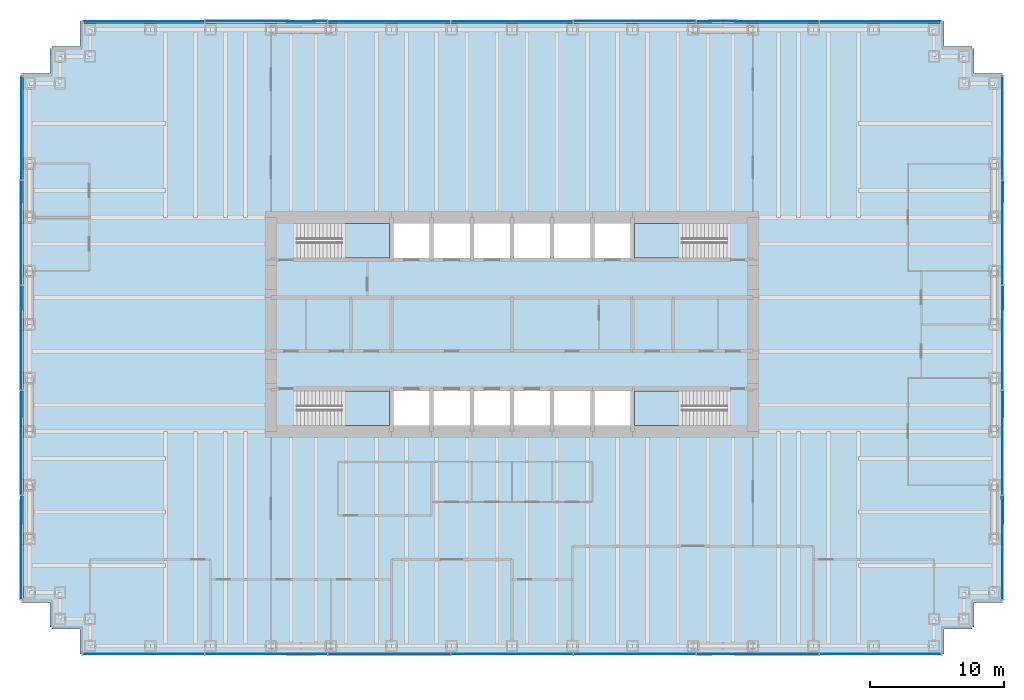
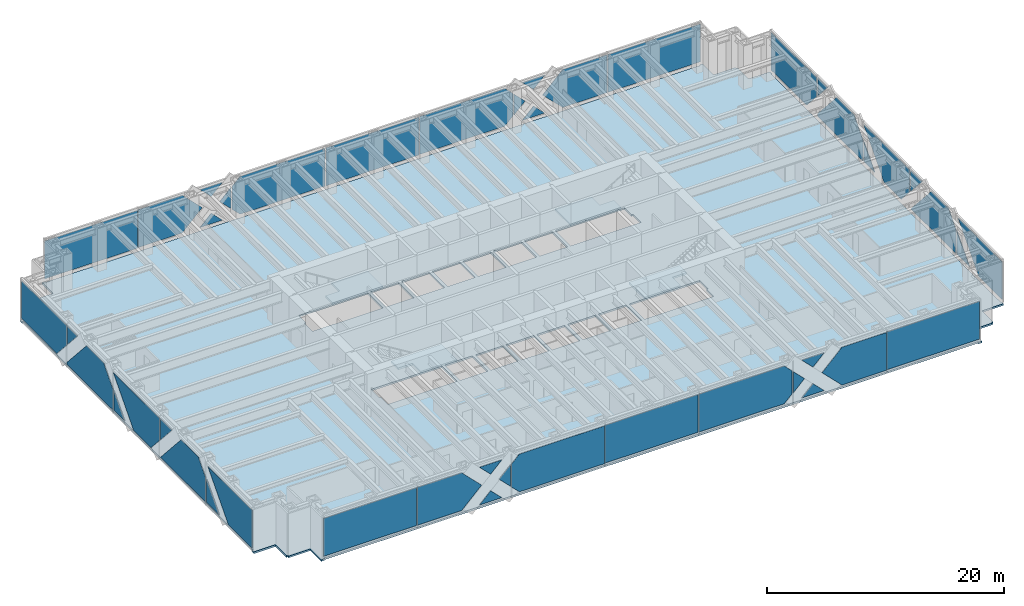
# One storey, part 8 of 13: 44 plates, 5 slabs, 8 elements without a shape of their own.
"""IFC4 building model written with IfcOpenShell, lengths in metres."""

from ifc_helpers import new_model, si_unit, direction, frame, origin, origin_2d, place, context, subcontext, project, spatial, polyline, rectangle, outline, extrude, material, layer, layer_set, type_object, element, aggregate, save


model = new_model("IFC4")

# Units and contexts
model_context = context("Model", 3, precision=1e-05, world=origin(), true_north=direction((0.0, 1.0)))
body_context = subcontext(model_context, "Body", "Model", "MODEL_VIEW")
ifc_project = project(units=[si_unit("LENGTHUNIT", "METRE"), si_unit("AREAUNIT", "SQUARE_METRE"), si_unit("VOLUMEUNIT", "CUBIC_METRE"), si_unit("PLANEANGLEUNIT", "RADIAN"), si_unit("MASSUNIT", "GRAM", prefix="KILO")], contexts=[model_context])

# Site, building, storey
site_placement = place(None, origin())
site = spatial("IfcSite", under=ifc_project, at=site_placement, CompositionType="ELEMENT")
building_placement = place(site_placement, origin())
building = spatial("IfcBuilding", under=site, at=building_placement, Name="Rheinbord Bourse Tower", CompositionType="ELEMENT")
storey_placement = place(building_placement, frame((0.0, 0.0, 45.5)))
storey = spatial("IfcBuildingStorey", under=building, at=storey_placement, Name="L09", CompositionType="ELEMENT", Elevation=45.5)

# Slab
ifc_material_1 = material(Name="Concrete C30/37", Category="concrete")
ifc_layer_1 = layer(ifc_material_1, 0.179931640625)
ifc_layer_set_1 = layer_set([ifc_layer_1], Name="COMPOSITE FLOOR SLAB 180")
slab_type_1 = type_object("IfcSlabType", Name="COMPOSITE FLOOR SLAB 180", PredefinedType="FLOOR", material=ifc_layer_set_1)
slab_1_placement = place(storey_placement, frame((0.0, 0.0, -0.179931640625)))
element("IfcSlab", 1, at=slab_1_placement, inside=storey, type_object=slab_type_1, Name="Floor slab L09", PredefinedType="FLOOR", context=body_context, shape_type="SweptSolid", body=[
    extrude(outline(polyline([(1.64990234375, 1.39990234375), (1.5, 1.39990234375), (1.5, 3.25), (-0.60009765625, 3.25), (-0.60009765625, 3.550048828125), (-0.5, 3.550048828125), (-0.5, 42.449951171875), (-0.60009765625, 42.449951171875), (-0.60009765625, 42.75), (1.5, 42.75), (1.5, 44.60009765625), (1.64990234375, 44.60009765625), (1.64990234375, 44.75), (3.75, 44.75), (3.75, 46.60009765625), (4.050048828125, 46.60009765625), (4.050048828125, 46.5), (67.949951171875, 46.5), (67.949951171875, 46.60009765625), (68.25, 46.60009765625), (68.25, 44.75), (70.35009765625, 44.75), (70.35009765625, 44.60009765625), (70.5, 44.60009765625), (70.5, 42.75), (72.60009765625, 42.75), (72.60009765625, 42.449951171875), (72.5, 42.449951171875), (72.5, 3.550048828125), (72.60009765625, 3.550048828125), (72.60009765625, 3.25), (70.5, 3.25), (70.5, 1.39990234375), (70.35009765625, 1.39990234375), (70.35009765625, 1.25), (68.25, 1.25), (68.25, -0.60009765625), (67.949951171875, -0.60009765625), (67.949951171875, -0.5), (4.050048828125, -0.5), (4.050048828125, -0.60009765625), (3.75, -0.60009765625), (3.75, 1.25), (1.64990234375, 1.25), (1.64990234375, 1.39990234375)]), holes=[polyline([(19.949951171875, 19.050048828125), (26.85009765625, 19.050048828125), (26.85009765625, 16.449951171875), (20.10009765625, 16.449951171875), (20.10009765625, 17.64990234375), (19.949951171875, 17.64990234375), (19.949951171875, 19.050048828125)]), polyline([(26.85009765625, 31.550048828125), (26.85009765625, 28.949951171875), (19.949951171875, 28.949951171875), (19.949951171875, 30.35009765625), (20.10009765625, 30.35009765625), (20.10009765625, 31.550048828125), (26.85009765625, 31.550048828125)]), polyline([(45.14990234375, 16.449951171875), (45.14990234375, 19.050048828125), (52.050048828125, 19.050048828125), (52.050048828125, 17.64990234375), (51.89990234375, 17.64990234375), (51.89990234375, 16.449951171875), (45.14990234375, 16.449951171875)]), polyline([(52.050048828125, 28.949951171875), (45.14990234375, 28.949951171875), (45.14990234375, 31.550048828125), (51.89990234375, 31.550048828125), (51.89990234375, 30.35009765625), (52.050048828125, 30.35009765625), (52.050048828125, 28.949951171875)]), polyline([(27.14990234375, 16.449951171875), (27.14990234375, 19.050048828125), (29.85009765625, 19.050048828125), (29.85009765625, 16.449951171875), (27.14990234375, 16.449951171875)]), polyline([(27.14990234375, 28.949951171875), (27.14990234375, 31.550048828125), (29.85009765625, 31.550048828125), (29.85009765625, 28.949951171875), (27.14990234375, 28.949951171875)]), polyline([(30.14990234375, 16.449951171875), (30.14990234375, 19.050048828125), (32.85009765625, 19.050048828125), (32.85009765625, 16.449951171875), (30.14990234375, 16.449951171875)]), polyline([(30.14990234375, 28.949951171875), (30.14990234375, 31.550048828125), (32.85009765625, 31.550048828125), (32.85009765625, 28.949951171875), (30.14990234375, 28.949951171875)]), polyline([(33.14990234375, 16.449951171875), (33.14990234375, 19.050048828125), (35.85009765625, 19.050048828125), (35.85009765625, 16.449951171875), (33.14990234375, 16.449951171875)]), polyline([(33.14990234375, 28.949951171875), (33.14990234375, 31.550048828125), (35.85009765625, 31.550048828125), (35.85009765625, 28.949951171875), (33.14990234375, 28.949951171875)]), polyline([(36.14990234375, 16.449951171875), (36.14990234375, 19.050048828125), (38.85009765625, 19.050048828125), (38.85009765625, 16.449951171875), (36.14990234375, 16.449951171875)]), polyline([(36.14990234375, 28.949951171875), (36.14990234375, 31.550048828125), (38.85009765625, 31.550048828125), (38.85009765625, 28.949951171875), (36.14990234375, 28.949951171875)]), polyline([(39.14990234375, 16.449951171875), (39.14990234375, 19.050048828125), (41.85009765625, 19.050048828125), (41.85009765625, 16.449951171875), (39.14990234375, 16.449951171875)]), polyline([(39.14990234375, 28.949951171875), (39.14990234375, 31.550048828125), (41.85009765625, 31.550048828125), (41.85009765625, 28.949951171875), (39.14990234375, 28.949951171875)]), polyline([(42.14990234375, 16.449951171875), (42.14990234375, 19.050048828125), (44.85009765625, 19.050048828125), (44.85009765625, 16.449951171875), (42.14990234375, 16.449951171875)]), polyline([(42.14990234375, 28.949951171875), (42.14990234375, 31.550048828125), (44.85009765625, 31.550048828125), (44.85009765625, 28.949951171875), (42.14990234375, 28.949951171875)])]), origin(), (0.0, 0.0, 1.0), 0.179931640625),
])

# Curtain wall, plates
ifc_material_2 = material(Name="Dark glass and black aluminium", Category="aluminium")
curtain_wall_type = type_object("IfcCurtainWallType", Name="CW1 DARK GLASS CURTAIN WALL", PredefinedType="USERDEFINED", material=ifc_material_2)
curtain_wall_1_placement = place(storey_placement, origin())
curtain_wall_1 = element("IfcCurtainWall", 2, at=curtain_wall_1_placement, inside=storey, type_object=curtain_wall_type, Name="Curtain wall CW1 S L09", ObjectType="UNITISED CURTAIN WALL", PredefinedType="USERDEFINED")
ifc_material_3 = material(Name="Dark tinted triple insulating glass", Category="glass")
ifc_layer_2 = layer(ifc_material_3, 0.0439453125)
ifc_layer_set_2 = layer_set([ifc_layer_2], Name="CW1 DARK GLASS PANEL")
plate_type = type_object("IfcPlateType", Name="CW1 DARK GLASS PANEL", PredefinedType="CURTAIN_PANEL", material=ifc_layer_set_2)
plate_1_placement = place(storey_placement, frame((8.505615234375, -0.60009765625, 0.300048828125), z_axis=(0.0, 0.0, 1.0), x_axis=(1.0, 0.0, 0.0)))
plate_1 = element("IfcPlate", 3, at=plate_1_placement, type_object=plate_type, Name="CW1 panel 1.1", PredefinedType="CURTAIN_PANEL", context=body_context, shape_type="SweptSolid", body=[
    extrude(rectangle(XDim=9.051513671875, YDim=0.0439453125, at=origin_2d()), origin(), (0.0, 0.0, 1.0), 3.89990234375),
])
plate_2_placement = place(storey_placement, frame((36.0, -0.60009765625, 0.300048828125), z_axis=(0.0, 0.0, 1.0), x_axis=(1.0, 0.0, 0.0)))
plate_2 = element("IfcPlate", 4, at=plate_2_placement, type_object=plate_type, Name="CW1 panel 4.1", PredefinedType="CURTAIN_PANEL", context=body_context, shape_type="SweptSolid", body=[
    extrude(rectangle(XDim=9.09130859375, YDim=0.0439453125, at=origin_2d()), origin(), (0.0, 0.0, 1.0), 3.89990234375),
])
plate_3_placement = place(storey_placement, frame((63.494384765625, -0.60009765625, 0.300048828125), z_axis=(0.0, 0.0, 1.0), x_axis=(1.0, 0.0, 0.0)))
plate_3 = element("IfcPlate", 5, at=plate_3_placement, type_object=plate_type, Name="CW1 panel 7.1", PredefinedType="CURTAIN_PANEL", context=body_context, shape_type="SweptSolid", body=[
    extrude(rectangle(XDim=9.051513671875, YDim=0.0439453125, at=origin_2d()), origin(), (0.0, 0.0, 1.0), 3.89990234375),
])
plate_4_placement = place(storey_placement, frame((13.111083984375, -0.6220703125, 0.300048828125), z_axis=(0.0, 1.0, 0.0), x_axis=(0.0, 0.0, 1.0)))
plate_4 = element("IfcPlate", 6, at=plate_4_placement, type_object=plate_type, Name="CW1 glass facet 1", PredefinedType="CURTAIN_PANEL", context=body_context, shape_type="SweptSolid", body=[
    extrude(outline(polyline([(0.0, 0.0), (3.89990234375, 0.0), (3.89990234375, 4.3330078125), (1.949951171875, 6.282958984375), (0.0, 4.3330078125), (0.0, 0.0)])), origin(), (0.0, 0.0, 1.0), 0.0439453125),
])
plate_5_placement = place(storey_placement, frame((19.156005859375, -0.6708984375, 0.300048828125), z_axis=(0.0, 1.0, 0.0), x_axis=(0.707106781187, 0.0, 0.707106781187)))
plate_5 = element("IfcPlate", 7, at=plate_5_placement, type_object=plate_type, Name="CW1 glass facet 2", PredefinedType="CURTAIN_PANEL", context=body_context, shape_type="SweptSolid", body=[
    extrude(outline(polyline([(0.0, 0.0), (1.547119140625, 0.0), (1.547119140625, 1.547119140625), (0.0, 0.0)])), origin(), (0.0, 0.0, 1.0), 0.0439453125),
])
plate_6_placement = place(storey_placement, frame((21.343994140625, -0.6708984375, 4.199951171875), z_axis=(0.0, 1.0, 0.0), x_axis=(-0.707106781187, 0.0, -0.707106781187)))
plate_6 = element("IfcPlate", 8, at=plate_6_placement, type_object=plate_type, Name="CW1 glass facet 3", PredefinedType="CURTAIN_PANEL", context=body_context, shape_type="SweptSolid", body=[
    extrude(outline(polyline([(0.0, 0.0), (1.547119140625, 0.0), (1.547119140625, 1.547119140625), (0.0, 0.0)])), origin(), (0.0, 0.0, 1.0), 0.0439453125),
])
plate_7_placement = place(storey_placement, frame((22.202880859375, -0.6220703125, 1.153076171875), z_axis=(0.0, 1.0, 0.0), x_axis=(-0.707106781187, 0.0, 0.707106781187)))
plate_7 = element("IfcPlate", 9, at=plate_7_placement, type_object=plate_type, Name="CW1 glass facet 4", PredefinedType="CURTAIN_PANEL", context=body_context, shape_type="SweptSolid", body=[
    extrude(outline(polyline([(0.0, 0.0), (1.55126953125, 0.0), (1.55126953125, 1.55126953125), (0.0, 0.0)])), origin(), (0.0, 0.0, 1.0), 0.0439453125),
])
plate_8_placement = place(storey_placement, frame((31.3740234375, -0.6708984375, 4.199951171875), z_axis=(0.0, 1.0, 0.0), x_axis=(0.0, 0.0, -1.0)))
plate_8 = element("IfcPlate", 10, at=plate_8_placement, type_object=plate_type, Name="CW1 glass facet 1", PredefinedType="CURTAIN_PANEL", context=body_context, shape_type="SweptSolid", body=[
    extrude(outline(polyline([(0.0, 0.0), (3.89990234375, 0.0), (3.89990234375, 8.318115234375), (3.126953125, 9.091064453125), (0.77294921875, 9.091064453125), (0.0, 8.318115234375), (0.0, 0.0)])), origin(), (0.0, 0.0, 1.0), 0.0439453125),
])
plate_9_placement = place(storey_placement, frame((40.6259765625, -0.6220703125, 0.300048828125), z_axis=(0.0, 1.0, 0.0), x_axis=(0.0, 0.0, 1.0)))
plate_9 = element("IfcPlate", 11, at=plate_9_placement, type_object=plate_type, Name="CW1 glass facet 1", PredefinedType="CURTAIN_PANEL", context=body_context, shape_type="SweptSolid", body=[
    extrude(outline(polyline([(0.0, 0.0), (3.89990234375, 0.0), (3.89990234375, 8.318115234375), (3.126953125, 9.091064453125), (0.77294921875, 9.091064453125), (0.0, 8.318115234375), (0.0, 0.0)])), origin(), (0.0, 0.0, 1.0), 0.0439453125),
])
plate_10_placement = place(storey_placement, frame((49.797119140625, -0.6708984375, 3.346923828125), z_axis=(0.0, 1.0, 0.0), x_axis=(0.707106781187, 0.0, -0.707106781187)))
plate_10 = element("IfcPlate", 12, at=plate_10_placement, type_object=plate_type, Name="CW1 glass facet 1", PredefinedType="CURTAIN_PANEL", context=body_context, shape_type="SweptSolid", body=[
    extrude(outline(polyline([(0.0, 0.0), (1.55126953125, 0.0), (1.55126953125, 1.55126953125), (0.0, 0.0)])), origin(), (0.0, 0.0, 1.0), 0.0439453125),
])
plate_11_placement = place(storey_placement, frame((50.656005859375, -0.6220703125, 0.300048828125), z_axis=(0.0, 1.0, 0.0), x_axis=(0.707106781187, 0.0, 0.707106781187)))
plate_11 = element("IfcPlate", 13, at=plate_11_placement, type_object=plate_type, Name="CW1 glass facet 2", PredefinedType="CURTAIN_PANEL", context=body_context, shape_type="SweptSolid", body=[
    extrude(outline(polyline([(0.0, 0.0), (1.547119140625, 0.0), (1.547119140625, 1.547119140625), (0.0, 0.0)])), origin(), (0.0, 0.0, 1.0), 0.0439453125),
])
plate_12_placement = place(storey_placement, frame((52.843994140625, -0.6220703125, 4.199951171875), z_axis=(0.0, 1.0, 0.0), x_axis=(-0.707106781187, 0.0, -0.707106781187)))
plate_12 = element("IfcPlate", 14, at=plate_12_placement, type_object=plate_type, Name="CW1 glass facet 3", PredefinedType="CURTAIN_PANEL", context=body_context, shape_type="SweptSolid", body=[
    extrude(outline(polyline([(0.0, 0.0), (1.547119140625, 0.0), (1.547119140625, 1.547119140625), (0.0, 0.0)])), origin(), (0.0, 0.0, 1.0), 0.0439453125),
])
plate_13_placement = place(storey_placement, frame((58.888916015625, -0.6708984375, 4.199951171875), z_axis=(0.0, 1.0, 0.0), x_axis=(0.0, 0.0, -1.0)))
plate_13 = element("IfcPlate", 15, at=plate_13_placement, type_object=plate_type, Name="CW1 glass facet 4", PredefinedType="CURTAIN_PANEL", context=body_context, shape_type="SweptSolid", body=[
    extrude(outline(polyline([(0.0, 0.0), (3.89990234375, 0.0), (3.89990234375, 4.3330078125), (1.949951171875, 6.282958984375), (0.0, 4.3330078125), (0.0, 0.0)])), origin(), (0.0, 0.0, 1.0), 0.0439453125),
])
aggregate(curtain_wall_1, [plate_1, plate_2, plate_3, plate_4, plate_5, plate_6, plate_7, plate_8, plate_9, plate_10, plate_11, plate_12, plate_13])

curtain_wall_2_placement = place(storey_placement, origin())
curtain_wall_2 = element("IfcCurtainWall", 16, at=curtain_wall_2_placement, inside=storey, type_object=curtain_wall_type, Name="Curtain wall CW1 E L09", ObjectType="UNITISED CURTAIN WALL", PredefinedType="USERDEFINED")
plate_14_placement = place(storey_placement, frame((72.6220703125, 3.47998046875, 0.300048828125), z_axis=(-1.0, 0.0, 0.0), x_axis=(0.0, 0.0, 1.0)))
plate_14 = element("IfcPlate", 17, at=plate_14_placement, type_object=plate_type, Name="CW1 glass facet 1", PredefinedType="CURTAIN_PANEL", context=body_context, shape_type="SweptSolid", body=[
    extrude(outline(polyline([(0.0, 0.0), (3.89990234375, 0.0), (3.89990234375, 7.444091796875), (0.0, 3.97705078125), (0.0, 0.0)])), origin(), (0.0, 0.0, 1.0), 0.0439453125),
])
plate_15_placement = place(storey_placement, frame((72.6708984375, 11.199951171875, 0.300048828125), z_axis=(-1.0, 0.0, 0.0), x_axis=(0.0, -1.0, 0.0)))
plate_15 = element("IfcPlate", 18, at=plate_15_placement, type_object=plate_type, Name="CW1 glass facet 2", PredefinedType="CURTAIN_PANEL", context=body_context, shape_type="SweptSolid", body=[
    extrude(outline(polyline([(0.0, 0.0), (2.1240234375, 0.0), (0.0, 2.388916015625), (0.0, 0.0)])), origin(), (0.0, 0.0, 1.0), 0.0439453125),
])
plate_16_placement = place(storey_placement, frame((72.6220703125, 11.280029296875, 0.300048828125), z_axis=(-1.0, 0.0, 0.0), x_axis=(0.0, 0.0, 1.0)))
plate_16 = element("IfcPlate", 19, at=plate_16_placement, type_object=plate_type, Name="CW1 glass facet 1", PredefinedType="CURTAIN_PANEL", context=body_context, shape_type="SweptSolid", body=[
    extrude(outline(polyline([(0.0, 0.0), (2.47900390625, 0.0), (3.89990234375, 1.262939453125), (3.89990234375, 4.177001953125), (0.0, 7.64404296875), (0.0, 0.0)])), origin(), (0.0, 0.0, 1.0), 0.0439453125),
])
plate_17_placement = place(storey_placement, frame((72.6708984375, 19.0400390625, 4.199951171875), z_axis=(-1.0, 0.0, 0.0), x_axis=(0.0, 0.0, -1.0)))
plate_17 = element("IfcPlate", 20, at=plate_17_placement, type_object=plate_type, Name="CW1 glass facet 2", PredefinedType="CURTAIN_PANEL", context=body_context, shape_type="SweptSolid", body=[
    extrude(outline(polyline([(0.0, 0.0), (2.208984375, 0.0), (0.0, 1.964111328125), (0.0, 0.0)])), origin(), (0.0, 0.0, 1.0), 0.0439453125),
])
plate_18_placement = place(storey_placement, frame((72.6220703125, 20.54296875, 0.300048828125), z_axis=(-1.0, 0.0, 0.0), x_axis=(0.0, -0.664335537311, 0.74743447463)))
plate_18 = element("IfcPlate", 21, at=plate_18_placement, type_object=plate_type, Name="CW1 glass facet 1", PredefinedType="CURTAIN_PANEL", context=body_context, shape_type="SweptSolid", body=[
    extrude(outline(polyline([(0.0, 0.0), (2.141845703125, 0.0), (3.860107421875, 1.52734375), (-1.294921875, 7.327392578125), (-1.33154296875, 7.294677734375), (-1.93603515625, 2.177978515625), (0.0, 0.0)])), origin(), (0.0, 0.0, 1.0), 0.0439453125),
])
plate_19_placement = place(storey_placement, frame((72.6708984375, 26.8798828125, 0.300048828125), z_axis=(-1.0, 0.0, 0.0), x_axis=(0.0, -1.0, 0.0)))
plate_19 = element("IfcPlate", 22, at=plate_19_placement, type_object=plate_type, Name="CW1 glass facet 2", PredefinedType="CURTAIN_PANEL", context=body_context, shape_type="SweptSolid", body=[
    extrude(outline(polyline([(0.0, 0.0), (1.803955078125, 0.0), (0.0, 2.029052734375), (0.0, 0.0)])), origin(), (0.0, 0.0, 1.0), 0.0439453125),
])
plate_20_placement = place(storey_placement, frame((72.6220703125, 34.719970703125, 0.300048828125), z_axis=(-1.0, 0.0, 0.0), x_axis=(0.0, -1.0, 0.0)))
plate_20 = element("IfcPlate", 23, at=plate_20_placement, type_object=plate_type, Name="CW1 glass facet 1", PredefinedType="CURTAIN_PANEL", context=body_context, shape_type="SweptSolid", body=[
    extrude(outline(polyline([(0.0, 0.0), (7.760009765625, 0.0), (7.760009765625, 2.118896484375), (6.177001953125, 3.89990234375), (3.262939453125, 3.89990234375), (0.0, 0.22900390625), (0.0, 0.0)])), origin(), (0.0, 0.0, 1.0), 0.0439453125),
])
plate_21_placement = place(storey_placement, frame((72.6708984375, 34.719970703125, 4.199951171875), z_axis=(-1.0, 0.0, 0.0), x_axis=(0.0, 0.0, -1.0)))
plate_21 = element("IfcPlate", 24, at=plate_21_placement, type_object=plate_type, Name="CW1 glass facet 2", PredefinedType="CURTAIN_PANEL", context=body_context, shape_type="SweptSolid", body=[
    extrude(outline(polyline([(0.0, 0.0), (1.848876953125, 0.0), (0.0, 1.64404296875), (0.0, 0.0)])), origin(), (0.0, 0.0, 1.0), 0.0439453125),
])
plate_22_placement = place(storey_placement, frame((72.6220703125, 34.800048828125, 4.199951171875), z_axis=(-1.0, 0.0, 0.0), x_axis=(0.0, 1.0, 0.0)))
plate_22 = element("IfcPlate", 25, at=plate_22_placement, type_object=plate_type, Name="CW1 glass facet 1", PredefinedType="CURTAIN_PANEL", context=body_context, shape_type="SweptSolid", body=[
    extrude(outline(polyline([(0.0, 0.0), (7.719970703125, 0.0), (7.719970703125, 3.89990234375), (1.742919921875, 3.89990234375), (0.0, 1.93896484375), (0.0, 0.0)])), origin(), (0.0, 0.0, 1.0), 0.0439453125),
])
aggregate(curtain_wall_2, [plate_14, plate_15, plate_16, plate_17, plate_18, plate_19, plate_20, plate_21, plate_22])

curtain_wall_3_placement = place(storey_placement, origin())
curtain_wall_3 = element("IfcCurtainWall", 26, at=curtain_wall_3_placement, inside=storey, type_object=curtain_wall_type, Name="Curtain wall CW1 N L09", ObjectType="UNITISED CURTAIN WALL", PredefinedType="USERDEFINED")
plate_23_placement = place(storey_placement, frame((63.494384765625, 46.60009765625, 0.300048828125), z_axis=(0.0, 0.0, 1.0), x_axis=(-1.0, 0.0, 0.0)))
plate_23 = element("IfcPlate", 27, at=plate_23_placement, type_object=plate_type, Name="CW1 panel 1.1", PredefinedType="CURTAIN_PANEL", context=body_context, shape_type="SweptSolid", body=[
    extrude(rectangle(XDim=9.051513671875, YDim=0.0439453125, at=origin_2d()), origin(), (0.0, 0.0, 1.0), 3.89990234375),
])
plate_24_placement = place(storey_placement, frame((36.0, 46.60009765625, 0.300048828125), z_axis=(0.0, 0.0, 1.0), x_axis=(-1.0, 0.0, 0.0)))
plate_24 = element("IfcPlate", 28, at=plate_24_placement, type_object=plate_type, Name="CW1 panel 4.1", PredefinedType="CURTAIN_PANEL", context=body_context, shape_type="SweptSolid", body=[
    extrude(rectangle(XDim=9.09130859375, YDim=0.0439453125, at=origin_2d()), origin(), (0.0, 0.0, 1.0), 3.89990234375),
])
plate_25_placement = place(storey_placement, frame((8.505615234375, 46.60009765625, 0.300048828125), z_axis=(0.0, 0.0, 1.0), x_axis=(-1.0, 0.0, 0.0)))
plate_25 = element("IfcPlate", 29, at=plate_25_placement, type_object=plate_type, Name="CW1 panel 7.1", PredefinedType="CURTAIN_PANEL", context=body_context, shape_type="SweptSolid", body=[
    extrude(rectangle(XDim=9.051513671875, YDim=0.0439453125, at=origin_2d()), origin(), (0.0, 0.0, 1.0), 3.89990234375),
])
plate_26_placement = place(storey_placement, frame((58.888916015625, 46.6220703125, 0.300048828125), z_axis=(0.0, -1.0, 0.0), x_axis=(0.0, 0.0, 1.0)))
plate_26 = element("IfcPlate", 30, at=plate_26_placement, type_object=plate_type, Name="CW1 glass facet 1", PredefinedType="CURTAIN_PANEL", context=body_context, shape_type="SweptSolid", body=[
    extrude(outline(polyline([(0.0, 0.0), (3.89990234375, 0.0), (3.89990234375, 4.3330078125), (1.949951171875, 6.282958984375), (0.0, 4.3330078125), (0.0, 0.0)])), origin(), (0.0, 0.0, 1.0), 0.0439453125),
])
plate_27_placement = place(storey_placement, frame((52.843994140625, 46.6708984375, 0.300048828125), z_axis=(0.0, -1.0, 0.0), x_axis=(-0.707106781187, 0.0, 0.707106781187)))
plate_27 = element("IfcPlate", 31, at=plate_27_placement, type_object=plate_type, Name="CW1 glass facet 2", PredefinedType="CURTAIN_PANEL", context=body_context, shape_type="SweptSolid", body=[
    extrude(outline(polyline([(0.0, 0.0), (1.547119140625, 0.0), (1.547119140625, 1.547119140625), (0.0, 0.0)])), origin(), (0.0, 0.0, 1.0), 0.0439453125),
])
plate_28_placement = place(storey_placement, frame((50.656005859375, 46.6708984375, 4.199951171875), z_axis=(0.0, -1.0, 0.0), x_axis=(0.707106781187, 0.0, -0.707106781187)))
plate_28 = element("IfcPlate", 32, at=plate_28_placement, type_object=plate_type, Name="CW1 glass facet 3", PredefinedType="CURTAIN_PANEL", context=body_context, shape_type="SweptSolid", body=[
    extrude(outline(polyline([(0.0, 0.0), (1.547119140625, 0.0), (1.547119140625, 1.547119140625), (0.0, 0.0)])), origin(), (0.0, 0.0, 1.0), 0.0439453125),
])
plate_29_placement = place(storey_placement, frame((49.797119140625, 46.6220703125, 1.153076171875), z_axis=(0.0, -1.0, 0.0), x_axis=(0.707106781187, 0.0, 0.707106781187)))
plate_29 = element("IfcPlate", 33, at=plate_29_placement, type_object=plate_type, Name="CW1 glass facet 4", PredefinedType="CURTAIN_PANEL", context=body_context, shape_type="SweptSolid", body=[
    extrude(outline(polyline([(0.0, 0.0), (1.55126953125, 0.0), (1.55126953125, 1.55126953125), (0.0, 0.0)])), origin(), (0.0, 0.0, 1.0), 0.0439453125),
])
plate_30_placement = place(storey_placement, frame((40.6259765625, 46.6708984375, 4.199951171875), z_axis=(0.0, -1.0, 0.0), x_axis=(0.0, 0.0, -1.0)))
plate_30 = element("IfcPlate", 34, at=plate_30_placement, type_object=plate_type, Name="CW1 glass facet 1", PredefinedType="CURTAIN_PANEL", context=body_context, shape_type="SweptSolid", body=[
    extrude(outline(polyline([(0.0, 0.0), (3.89990234375, 0.0), (3.89990234375, 8.318115234375), (3.126953125, 9.091064453125), (0.77294921875, 9.091064453125), (0.0, 8.318115234375), (0.0, 0.0)])), origin(), (0.0, 0.0, 1.0), 0.0439453125),
])
plate_31_placement = place(storey_placement, frame((31.3740234375, 46.6220703125, 0.300048828125), z_axis=(0.0, -1.0, 0.0), x_axis=(0.0, 0.0, 1.0)))
plate_31 = element("IfcPlate", 35, at=plate_31_placement, type_object=plate_type, Name="CW1 glass facet 1", PredefinedType="CURTAIN_PANEL", context=body_context, shape_type="SweptSolid", body=[
    extrude(outline(polyline([(0.0, 0.0), (3.89990234375, 0.0), (3.89990234375, 8.318115234375), (3.126953125, 9.091064453125), (0.77294921875, 9.091064453125), (0.0, 8.318115234375), (0.0, 0.0)])), origin(), (0.0, 0.0, 1.0), 0.0439453125),
])
plate_32_placement = place(storey_placement, frame((22.202880859375, 46.6708984375, 3.346923828125), z_axis=(0.0, -1.0, 0.0), x_axis=(-0.707106781187, 0.0, -0.707106781187)))
plate_32 = element("IfcPlate", 36, at=plate_32_placement, type_object=plate_type, Name="CW1 glass facet 1", PredefinedType="CURTAIN_PANEL", context=body_context, shape_type="SweptSolid", body=[
    extrude(outline(polyline([(0.0, 0.0), (1.55126953125, 0.0), (1.55126953125, 1.55126953125), (0.0, 0.0)])), origin(), (0.0, 0.0, 1.0), 0.0439453125),
])
plate_33_placement = place(storey_placement, frame((21.343994140625, 46.6220703125, 0.300048828125), z_axis=(0.0, -1.0, 0.0), x_axis=(-0.707106781187, 0.0, 0.707106781187)))
plate_33 = element("IfcPlate", 37, at=plate_33_placement, type_object=plate_type, Name="CW1 glass facet 2", PredefinedType="CURTAIN_PANEL", context=body_context, shape_type="SweptSolid", body=[
    extrude(outline(polyline([(0.0, 0.0), (1.547119140625, 0.0), (1.547119140625, 1.547119140625), (0.0, 0.0)])), origin(), (0.0, 0.0, 1.0), 0.0439453125),
])
plate_34_placement = place(storey_placement, frame((19.156005859375, 46.6220703125, 4.199951171875), z_axis=(0.0, -1.0, 0.0), x_axis=(0.707106781187, 0.0, -0.707106781187)))
plate_34 = element("IfcPlate", 38, at=plate_34_placement, type_object=plate_type, Name="CW1 glass facet 3", PredefinedType="CURTAIN_PANEL", context=body_context, shape_type="SweptSolid", body=[
    extrude(outline(polyline([(0.0, 0.0), (1.547119140625, 0.0), (1.547119140625, 1.547119140625), (0.0, 0.0)])), origin(), (0.0, 0.0, 1.0), 0.0439453125),
])
plate_35_placement = place(storey_placement, frame((13.111083984375, 46.6708984375, 4.199951171875), z_axis=(0.0, -1.0, 0.0), x_axis=(0.0, 0.0, -1.0)))
plate_35 = element("IfcPlate", 39, at=plate_35_placement, type_object=plate_type, Name="CW1 glass facet 4", PredefinedType="CURTAIN_PANEL", context=body_context, shape_type="SweptSolid", body=[
    extrude(outline(polyline([(0.0, 0.0), (3.89990234375, 0.0), (3.89990234375, 4.3330078125), (1.949951171875, 6.282958984375), (0.0, 4.3330078125), (0.0, 0.0)])), origin(), (0.0, 0.0, 1.0), 0.0439453125),
])
aggregate(curtain_wall_3, [plate_23, plate_24, plate_25, plate_26, plate_27, plate_28, plate_29, plate_30, plate_31, plate_32, plate_33, plate_34, plate_35])

curtain_wall_4_placement = place(storey_placement, origin())
curtain_wall_4 = element("IfcCurtainWall", 40, at=curtain_wall_4_placement, inside=storey, type_object=curtain_wall_type, Name="Curtain wall CW1 W L09", ObjectType="UNITISED CURTAIN WALL", PredefinedType="USERDEFINED")
plate_36_placement = place(storey_placement, frame((-0.6220703125, 42.52001953125, 0.300048828125), z_axis=(1.0, 0.0, 0.0), x_axis=(0.0, 0.0, 1.0)))
plate_36 = element("IfcPlate", 41, at=plate_36_placement, type_object=plate_type, Name="CW1 glass facet 1", PredefinedType="CURTAIN_PANEL", context=body_context, shape_type="SweptSolid", body=[
    extrude(outline(polyline([(0.0, 0.0), (3.89990234375, 0.0), (3.89990234375, 7.719970703125), (1.9609375, 7.719970703125), (0.0, 5.97705078125), (0.0, 0.0)])), origin(), (0.0, 0.0, 1.0), 0.0439453125),
])
plate_37_placement = place(storey_placement, frame((-0.6220703125, 34.719970703125, 4.199951171875), z_axis=(1.0, 0.0, 0.0), x_axis=(0.0, -1.0, 0.0)))
plate_37 = element("IfcPlate", 42, at=plate_37_placement, type_object=plate_type, Name="CW1 glass facet 1", PredefinedType="CURTAIN_PANEL", context=body_context, shape_type="SweptSolid", body=[
    extrude(outline(polyline([(0.0, 0.0), (1.64404296875, 0.0), (0.0, 1.848876953125), (0.0, 0.0)])), origin(), (0.0, 0.0, 1.0), 0.0439453125),
])
plate_38_placement = place(storey_placement, frame((-0.6708984375, 26.9599609375, 0.300048828125), z_axis=(1.0, 0.0, 0.0), x_axis=(0.0, 1.0, 0.0)))
plate_38 = element("IfcPlate", 43, at=plate_38_placement, type_object=plate_type, Name="CW1 glass facet 2", PredefinedType="CURTAIN_PANEL", context=body_context, shape_type="SweptSolid", body=[
    extrude(outline(polyline([(0.0, 0.0), (7.760009765625, 0.0), (7.760009765625, 0.22900390625), (4.4970703125, 3.89990234375), (1.5830078125, 3.89990234375), (0.0, 2.118896484375), (0.0, 0.0)])), origin(), (0.0, 0.0, 1.0), 0.0439453125),
])
plate_39_placement = place(storey_placement, frame((-0.6220703125, 26.8798828125, 0.300048828125), z_axis=(1.0, 0.0, 0.0), x_axis=(0.0, 0.0, 1.0)))
plate_39 = element("IfcPlate", 44, at=plate_39_placement, type_object=plate_type, Name="CW1 glass facet 1", PredefinedType="CURTAIN_PANEL", context=body_context, shape_type="SweptSolid", body=[
    extrude(outline(polyline([(0.0, 0.0), (2.029052734375, 0.0), (0.0, 1.803955078125), (0.0, 0.0)])), origin(), (0.0, 0.0, 1.0), 0.0439453125),
])
plate_40_placement = place(storey_placement, frame((-0.6708984375, 23.45703125, 0.300048828125), z_axis=(1.0, 0.0, 0.0), x_axis=(0.0, 0.664352073941, 0.747419776197)))
plate_40 = element("IfcPlate", 45, at=plate_40_placement, type_object=plate_type, Name="CW1 glass facet 2", PredefinedType="CURTAIN_PANEL", context=body_context, shape_type="SweptSolid", body=[
    extrude(outline(polyline([(0.0, 0.0), (5.152099609375, 0.0), (5.188720703125, 0.03271484375), (0.03369140625, 5.83251953125), (-1.684814453125, 4.304931640625), (-1.93603515625, 2.177978515625), (0.0, 0.0)])), origin(), (0.0, 0.0, 1.0), 0.0439453125),
])
plate_41_placement = place(storey_placement, frame((-0.6220703125, 19.0400390625, 4.199951171875), z_axis=(1.0, 0.0, 0.0), x_axis=(0.0, -1.0, 0.0)))
plate_41 = element("IfcPlate", 46, at=plate_41_placement, type_object=plate_type, Name="CW1 glass facet 1", PredefinedType="CURTAIN_PANEL", context=body_context, shape_type="SweptSolid", body=[
    extrude(outline(polyline([(0.0, 0.0), (1.964111328125, 0.0), (0.0, 2.208984375), (0.0, 0.0)])), origin(), (0.0, 0.0, 1.0), 0.0439453125),
])
plate_42_placement = place(storey_placement, frame((-0.6708984375, 11.280029296875, 0.300048828125), z_axis=(1.0, 0.0, 0.0), x_axis=(0.0, 1.0, 0.0)))
plate_42 = element("IfcPlate", 47, at=plate_42_placement, type_object=plate_type, Name="CW1 glass facet 2", PredefinedType="CURTAIN_PANEL", context=body_context, shape_type="SweptSolid", body=[
    extrude(outline(polyline([(0.0, 0.0), (7.64404296875, 0.0), (4.177001953125, 3.89990234375), (1.262939453125, 3.89990234375), (0.0, 2.47900390625), (0.0, 0.0)])), origin(), (0.0, 0.0, 1.0), 0.0439453125),
])
plate_43_placement = place(storey_placement, frame((-0.6220703125, 11.199951171875, 0.300048828125), z_axis=(1.0, 0.0, 0.0), x_axis=(0.0, 0.0, 1.0)))
plate_43 = element("IfcPlate", 48, at=plate_43_placement, type_object=plate_type, Name="CW1 glass facet 1", PredefinedType="CURTAIN_PANEL", context=body_context, shape_type="SweptSolid", body=[
    extrude(outline(polyline([(0.0, 0.0), (2.388916015625, 0.0), (0.0, 2.1240234375), (0.0, 0.0)])), origin(), (0.0, 0.0, 1.0), 0.0439453125),
])
plate_44_placement = place(storey_placement, frame((-0.6708984375, 3.47998046875, 4.199951171875), z_axis=(1.0, 0.0, 0.0), x_axis=(0.0, 0.0, -1.0)))
plate_44 = element("IfcPlate", 49, at=plate_44_placement, type_object=plate_type, Name="CW1 glass facet 2", PredefinedType="CURTAIN_PANEL", context=body_context, shape_type="SweptSolid", body=[
    extrude(outline(polyline([(0.0, 0.0), (3.89990234375, 0.0), (3.89990234375, 3.97705078125), (0.0, 7.444091796875), (0.0, 0.0)])), origin(), (0.0, 0.0, 1.0), 0.0439453125),
])
aggregate(curtain_wall_4, [plate_36, plate_37, plate_38, plate_39, plate_40, plate_41, plate_42, plate_43, plate_44])

# Stair, slab
ifc_material_4 = material(Name="Concrete C30/37", Category="concrete")
stair_type = type_object("IfcStairType", Name="CORE STAIR HALF TURN 4500", PredefinedType="HALF_TURN_STAIR", material=ifc_material_4)
stair_1_placement = place(storey_placement, origin())
stair_1 = element("IfcStair", 50, at=stair_1_placement, inside=storey, type_object=stair_type, Name="Stair ST1 L09, type CS4", PredefinedType="HALF_TURN_STAIR")
ifc_material_5 = material(Name="Concrete C30/37", Category="concrete")
ifc_layer_3 = layer(ifc_material_5, 0.199951171875)
ifc_layer_set_3 = layer_set([ifc_layer_3], Name="STAIR LANDING 200")
slab_type_2 = type_object("IfcSlabType", Name="STAIR LANDING 200", PredefinedType="LANDING", material=ifc_layer_set_3)
slab_2_placement = place(storey_placement, frame((0.0, 0.0, 2.050048828125)))
slab_2 = element("IfcSlab", 51, at=slab_2_placement, type_object=slab_type_2, Name="Half landing ST1 L09", PredefinedType="LANDING", context=body_context, shape_type="SweptSolid", body=[
    extrude(outline(polyline([(23.31005859375, 16.449951171875), (26.85009765625, 16.449951171875), (26.85009765625, 19.050048828125), (21.916015625, 19.050048828125), (21.916015625, 17.85009765625), (23.31005859375, 17.85009765625), (23.31005859375, 16.449951171875)])), origin(), (0.0, 0.0, 1.0), 0.199951171875),
])
aggregate(stair_1, [slab_2])

stair_2_placement = place(storey_placement, origin())
stair_2 = element("IfcStair", 52, at=stair_2_placement, inside=storey, type_object=stair_type, Name="Stair ST2 L09, type CS4", PredefinedType="HALF_TURN_STAIR")
slab_3_placement = place(storey_placement, frame((0.0, 0.0, 2.050048828125)))
slab_3 = element("IfcSlab", 53, at=slab_3_placement, type_object=slab_type_2, Name="Half landing ST2 L09", PredefinedType="LANDING", context=body_context, shape_type="SweptSolid", body=[
    extrude(outline(polyline([(21.916015625, 28.949951171875), (26.85009765625, 28.949951171875), (26.85009765625, 31.550048828125), (23.31005859375, 31.550048828125), (23.31005859375, 30.14990234375), (21.916015625, 30.14990234375), (21.916015625, 28.949951171875)])), origin(), (0.0, 0.0, 1.0), 0.199951171875),
])
aggregate(stair_2, [slab_3])

stair_3_placement = place(storey_placement, origin())
stair_3 = element("IfcStair", 54, at=stair_3_placement, inside=storey, type_object=stair_type, Name="Stair ST3 L09, type CS4", PredefinedType="HALF_TURN_STAIR")
slab_4_placement = place(storey_placement, frame((0.0, 0.0, 2.050048828125)))
slab_4 = element("IfcSlab", 55, at=slab_4_placement, type_object=slab_type_2, Name="Half landing ST3 L09", PredefinedType="LANDING", context=body_context, shape_type="SweptSolid", body=[
    extrude(outline(polyline([(45.14990234375, 16.449951171875), (48.68994140625, 16.449951171875), (48.68994140625, 17.85009765625), (50.083984375, 17.85009765625), (50.083984375, 19.050048828125), (45.14990234375, 19.050048828125), (45.14990234375, 16.449951171875)])), origin(), (0.0, 0.0, 1.0), 0.199951171875),
])
aggregate(stair_3, [slab_4])

stair_4_placement = place(storey_placement, origin())
stair_4 = element("IfcStair", 56, at=stair_4_placement, inside=storey, type_object=stair_type, Name="Stair ST4 L09, type CS4", PredefinedType="HALF_TURN_STAIR")
slab_5_placement = place(storey_placement, frame((0.0, 0.0, 2.050048828125)))
slab_5 = element("IfcSlab", 57, at=slab_5_placement, type_object=slab_type_2, Name="Half landing ST4 L09", PredefinedType="LANDING", context=body_context, shape_type="SweptSolid", body=[
    extrude(outline(polyline([(45.14990234375, 28.949951171875), (50.083984375, 28.949951171875), (50.083984375, 30.14990234375), (48.68994140625, 30.14990234375), (48.68994140625, 31.550048828125), (45.14990234375, 31.550048828125), (45.14990234375, 28.949951171875)])), origin(), (0.0, 0.0, 1.0), 0.199951171875),
])
aggregate(stair_4, [slab_5])

save(model, "model.ifc")
